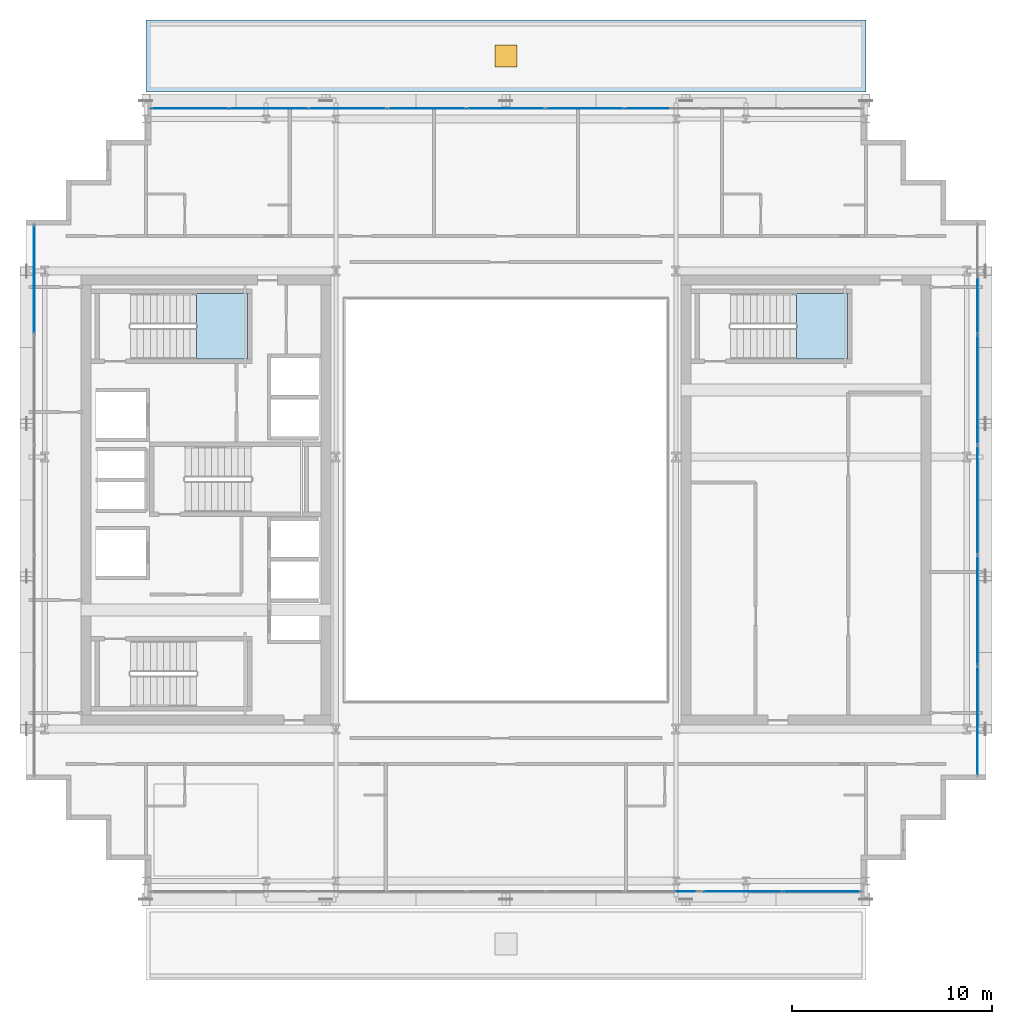
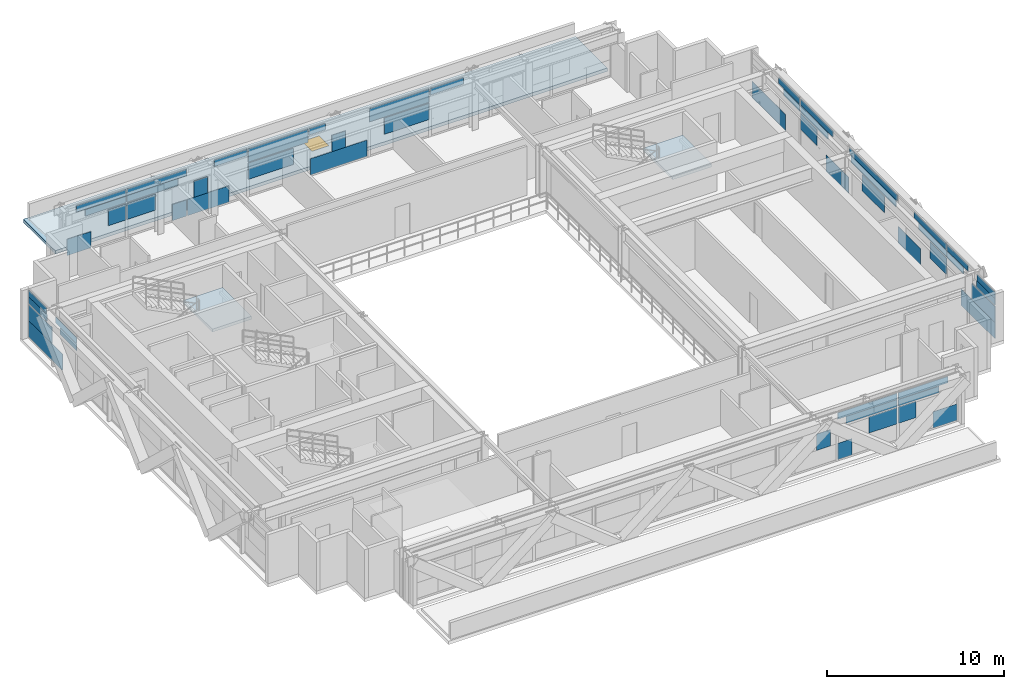
# One storey, part 23 of 34: 54 plates, 3 slabs, 1 door, 1 opening, 6 elements without a shape of their own.
"""IFC4 building model written with IfcOpenShell, lengths in metres."""

from ifc_helpers import new_model, si_unit, direction, frame, origin, origin_2d, place, context, subcontext, project, spatial, polyline, rectangle, outline, extrude, source, transform, mapped, material, layer, layer_set, type_object, element, fill, aggregate, save


model = new_model("IFC4")

# Units and contexts
model_context = context("Model", 3, precision=1e-05, world=origin(), true_north=direction((0.0, 1.0)))
body_context = subcontext(model_context, "Body", "Model", "MODEL_VIEW")
ifc_project = project(units=[si_unit("LENGTHUNIT", "METRE"), si_unit("AREAUNIT", "SQUARE_METRE"), si_unit("VOLUMEUNIT", "CUBIC_METRE"), si_unit("PLANEANGLEUNIT", "RADIAN"), si_unit("MASSUNIT", "GRAM", prefix="KILO")], contexts=[model_context])

# Site, building, storey
site_placement = place(None, origin())
site = spatial("IfcSite", under=ifc_project, at=site_placement, CompositionType="ELEMENT")
building_placement = place(site_placement, origin())
building = spatial("IfcBuilding", under=site, at=building_placement, Name="Ocotamira Hotel", CompositionType="ELEMENT")
storey_placement = place(building_placement, frame((0.0, 0.0, 163.199951171875)))
storey = spatial("IfcBuildingStorey", under=building, at=storey_placement, Name="L40", CompositionType="ELEMENT", Elevation=163.199951171875)

# Stair, slab
ifc_material_1 = material(Name="Concrete C40/50", Category="concrete")
stair_type = type_object("IfcStairType", Name="ST-CORE-1560", PredefinedType="HALF_TURN_STAIR", material=ifc_material_1)
stair_1_placement = place(storey_placement, origin())
stair_1 = element("IfcStair", 1, at=stair_1_placement, inside=storey, type_object=stair_type, Name="L40 Exit Stair ST-2", PredefinedType="HALF_TURN_STAIR")
ifc_layer_1 = layer(ifc_material_1, 0.199951171875)
ifc_layer_set_1 = layer_set([ifc_layer_1], Name="Concrete C40/50")
slab_type_1 = type_object("IfcSlabType", Name="SLB-LAND-200", PredefinedType="LANDING", material=ifc_layer_set_1)
slab_1_placement = place(storey_placement, frame((0.0, 0.0, 1.60009765625)))
slab_1 = element("IfcSlab", 2, at=slab_1_placement, type_object=slab_type_1, Name="ST-2 landing 1", PredefinedType="LANDING", context=body_context, shape_type="SweptSolid", body=[
    extrude(outline(polyline([(16.530029296875, 33.050048828125), (19.090087890625, 33.050048828125), (19.090087890625, 36.330078125), (16.530029296875, 36.330078125), (16.530029296875, 33.050048828125)])), origin(), (0.0, 0.0, 1.0), 0.199951171875),
])
aggregate(stair_1, [slab_1])

stair_2_placement = place(storey_placement, origin())
stair_2 = element("IfcStair", 3, at=stair_2_placement, inside=storey, type_object=stair_type, Name="L40 Exit Stair ST-4", PredefinedType="HALF_TURN_STAIR")
slab_2_placement = place(storey_placement, frame((0.0, 0.0, 1.60009765625)))
slab_2 = element("IfcSlab", 4, at=slab_2_placement, type_object=slab_type_1, Name="ST-4 landing 1", PredefinedType="LANDING", context=body_context, shape_type="SweptSolid", body=[
    extrude(outline(polyline([(46.530029296875, 33.050048828125), (49.090087890625, 33.050048828125), (49.090087890625, 36.330078125), (46.530029296875, 36.330078125), (46.530029296875, 33.050048828125)])), origin(), (0.0, 0.0, 1.0), 0.199951171875),
])
aggregate(stair_2, [slab_2])

# Slab, opening, door
ifc_layer_2 = layer(ifc_material_1, 0.22998046875)
ifc_layer_set_2 = layer_set([ifc_layer_2], Name="Concrete C40/50")
slab_type_2 = type_object("IfcSlabType", Name="SLB-ROOF-230", PredefinedType="ROOF", material=ifc_layer_set_2)
slab_3_placement = place(storey_placement, frame((0.0, 0.0, -0.22998046875)))
slab_3 = element("IfcSlab", 5, at=slab_3_placement, inside=storey, type_object=slab_type_2, Name="L40 Setback Roof Z3-N", PredefinedType="ROOF", context=body_context, shape_type="SweptSolid", body=[
    extrude(outline(polyline([(14.0, 46.39990234375), (50.0, 46.39990234375), (50.0, 50.0), (14.0, 50.0), (14.0, 46.39990234375)])), origin(), (0.0, 0.0, 1.0), 0.22998046875),
])
opening_placement = place(slab_3_placement, frame((32.0, 48.199951171875, 0.0)))
opening = element("IfcOpeningElement", 6, at=opening_placement, cuts=slab_3, Name="Opening RH-1", PredefinedType="OPENING", context=body_context, shape_type="SweptSolid", body=[
    extrude(rectangle(XDim=1.10009765625, YDim=1.10009765625, at=origin_2d()), frame((0.0, 0.0, -0.010009765625)), (0.0, 0.0, 1.0), 0.25),
])
ifc_material_2 = material(Name="Insulated aluminium roof access hatch", Category="aluminium")
door_type = type_object("IfcDoorType", Name="DR-HATCH-1100", OperationType="NOTDEFINED", PredefinedType="TRAPDOOR", material=ifc_material_2)
door_placement = place(opening_placement, frame((0.0, 0.0, 0.179931640625)))
door = element("IfcDoor", 7, at=door_placement, inside=storey, type_object=door_type, Name="L40 Maintenance Roof Hatch Z3N [RH-L40-Z3N]", OperationType="SINGLE_SWING_LEFT", OverallHeight=1.10009765625, OverallWidth=1.10009765625, PredefinedType="TRAPDOOR", context=body_context, shape_type="SweptSolid", body=[
    extrude(rectangle(XDim=1.10009765625, YDim=1.10009765625, at=origin_2d()), origin(), (0.0, 0.0, 1.0), 0.050048828125),
])
fill(opening, door)

# Curtain wall, plate
ifc_material_3 = material(Name="Anodised pale-metal aluminium and solar glass", Category="aluminium")
ifc_layer_3 = layer(ifc_material_3, 0.199951171875)
ifc_layer_set_3 = layer_set([ifc_layer_3], Name="Anodised pale-metal aluminium and solar glass")
curtain_wall_type = type_object("IfcCurtainWallType", Name="CW-SYS4-Z3", PredefinedType="NOTDEFINED", material=ifc_layer_set_3)
curtain_wall_1_placement = place(storey_placement, origin())
curtain_wall_1 = element("IfcCurtainWall", 8, at=curtain_wall_1_placement, inside=storey, type_object=curtain_wall_type, Name="L40 Curtain Wall CW-4 CW-L40-S1", PredefinedType="NOTDEFINED")
ifc_material_4 = material(Name="Double-silver low-E insulated solar glass", Category="glass")
ifc_layer_4 = layer(ifc_material_4, 0.031982421875)
ifc_layer_set_4 = layer_set([ifc_layer_4], Name="Double-silver low-E insulated solar glass")
plate_type = type_object("IfcPlateType", Name="CWP-VISION-32", PredefinedType="CURTAIN_PANEL", material=ifc_layer_set_4)
shared_shape_1 = source(origin(), body_context, "Body", "SweptSolid", [
    extrude(rectangle(XDim=1.5673828125, YDim=0.031982421875, at=origin_2d()), origin(), (0.0, 0.0, 1.0), 1.118896484375),
])
plate_1_placement = place(storey_placement, frame((48.936279296875, 6.419921875, 0.0751953125), z_axis=(0.0, 0.0, 1.0), x_axis=(1.0, 0.0, 0.0)))
plate_1 = element("IfcPlate", 9, at=plate_1_placement, type_object=plate_type, Name="CW-4 panel 9.1.2", PredefinedType="CURTAIN_PANEL", context=body_context, shape_type="MappedRepresentation", body=[
    mapped(shared_shape_1, transform((0.0, 0.0, 0.0), scale=1.0)),
])

curtain_wall_2_placement = place(storey_placement, origin())
curtain_wall_2 = element("IfcCurtainWall", 10, at=curtain_wall_2_placement, inside=storey, type_object=curtain_wall_type, Name="L40 Curtain Wall CW-4 CW-L40-N", PredefinedType="NOTDEFINED")
plate_2_placement = place(storey_placement, frame((15.063720703125, 45.580078125, 0.0751953125), z_axis=(0.0, 0.0, 1.0), x_axis=(1.0, 0.0, 0.0)))
plate_2 = element("IfcPlate", 11, at=plate_2_placement, type_object=plate_type, Name="CW-4 panel 1.1.1", PredefinedType="CURTAIN_PANEL", context=body_context, shape_type="MappedRepresentation", body=[
    mapped(shared_shape_1, transform((0.0, 0.0, 0.0), scale=1.0)),
])

# Plate
shared_shape_2 = source(origin(), body_context, "Body", "SweptSolid", [
    extrude(rectangle(XDim=1.1474609375, YDim=0.031982421875, at=origin_2d()), origin(), (0.0, 0.0, 1.0), 1.11865234375),
])
plate_3_placement = place(storey_placement, frame((46.458251953125, 6.419921875, 1.19384765625), z_axis=(0.0, 0.0, 1.0), x_axis=(1.0, 0.0, 0.0)))
plate_3 = element("IfcPlate", 12, at=plate_3_placement, type_object=plate_type, Name="CW-4 panel 9.1.1", PredefinedType="CURTAIN_PANEL", context=body_context, shape_type="MappedRepresentation", body=[
    mapped(shared_shape_2, transform((0.0, 0.0, 0.0), scale=1.0)),
])

plate_4_placement = place(storey_placement, frame((17.541748046875, 45.580078125, 1.19384765625), z_axis=(0.0, 0.0, 1.0), x_axis=(1.0, 0.0, 0.0)))
plate_4 = element("IfcPlate", 13, at=plate_4_placement, type_object=plate_type, Name="CW-4 panel 1.1.2", PredefinedType="CURTAIN_PANEL", context=body_context, shape_type="MappedRepresentation", body=[
    mapped(shared_shape_2, transform((0.0, 0.0, 0.0), scale=1.0)),
])

shared_shape_3 = source(origin(), body_context, "Body", "SweptSolid", [
    extrude(rectangle(XDim=3.233154296875, YDim=0.031982421875, at=origin_2d()), origin(), (0.0, 0.0, 1.0), 0.4326171875),
])
plate_5_placement = place(storey_placement, frame((47.5009765625, 6.419921875, 2.862548828125), z_axis=(0.0, 0.0, 1.0), x_axis=(1.0, 0.0, 0.0)))
plate_5 = element("IfcPlate", 14, at=plate_5_placement, type_object=plate_type, Name="CW-4 panel 9.2.2", PredefinedType="CURTAIN_PANEL", context=body_context, shape_type="MappedRepresentation", body=[
    mapped(shared_shape_3, transform((0.0, 0.0, 0.0), scale=1.0)),
])

plate_6_placement = place(storey_placement, frame((16.4990234375, 45.580078125, 2.862548828125), z_axis=(0.0, 0.0, 1.0), x_axis=(1.0, 0.0, 0.0)))
plate_6 = element("IfcPlate", 15, at=plate_6_placement, type_object=plate_type, Name="CW-4 panel 1.2.1", PredefinedType="CURTAIN_PANEL", context=body_context, shape_type="MappedRepresentation", body=[
    mapped(shared_shape_3, transform((0.0, 0.0, 0.0), scale=1.0)),
])

shared_shape_4 = source(origin(), body_context, "Body", "SweptSolid", [
    extrude(rectangle(XDim=2.6396484375, YDim=0.031982421875, at=origin_2d()), origin(), (0.0, 0.0, 1.0), 0.443603515625),
])
plate_7_placement = place(storey_placement, frame((47.204345703125, 6.419921875, 2.3876953125), z_axis=(0.0, 0.0, 1.0), x_axis=(1.0, 0.0, 0.0)))
plate_7 = element("IfcPlate", 16, at=plate_7_placement, type_object=plate_type, Name="CW-4 panel 9.2.1", PredefinedType="CURTAIN_PANEL", context=body_context, shape_type="MappedRepresentation", body=[
    mapped(shared_shape_4, transform((0.0, 0.0, 0.0), scale=1.0)),
])

plate_8_placement = place(storey_placement, frame((16.795654296875, 45.580078125, 2.3876953125), z_axis=(0.0, 0.0, 1.0), x_axis=(1.0, 0.0, 0.0)))
plate_8 = element("IfcPlate", 17, at=plate_8_placement, type_object=plate_type, Name="CW-4 panel 1.2.2", PredefinedType="CURTAIN_PANEL", context=body_context, shape_type="MappedRepresentation", body=[
    mapped(shared_shape_4, transform((0.0, 0.0, 0.0), scale=1.0)),
])

shared_shape_5 = source(origin(), body_context, "Body", "SweptSolid", [
    extrude(rectangle(XDim=1.83642578125, YDim=0.031982421875, at=origin_2d()), origin(), (0.0, 0.0, 1.0), 1.11865234375),
])
plate_9_placement = place(storey_placement, frame((44.88623046875, 6.419921875, 1.19384765625), z_axis=(0.0, 0.0, 1.0), x_axis=(1.0, 0.0, 0.0)))
plate_9 = element("IfcPlate", 18, at=plate_9_placement, type_object=plate_type, Name="CW-4 panel 8.1.2", PredefinedType="CURTAIN_PANEL", context=body_context, shape_type="MappedRepresentation", body=[
    mapped(shared_shape_5, transform((0.0, 0.0, 0.0), scale=1.0)),
])

plate_10_placement = place(storey_placement, frame((19.11376953125, 45.580078125, 1.19384765625), z_axis=(0.0, 0.0, 1.0), x_axis=(1.0, 0.0, 0.0)))
plate_10 = element("IfcPlate", 19, at=plate_10_placement, type_object=plate_type, Name="CW-4 panel 2.1.1", PredefinedType="CURTAIN_PANEL", context=body_context, shape_type="MappedRepresentation", body=[
    mapped(shared_shape_5, transform((0.0, 0.0, 0.0), scale=1.0)),
])

shared_shape_6 = source(origin(), body_context, "Body", "SweptSolid", [
    extrude(rectangle(XDim=0.918701171875, YDim=0.031982421875, at=origin_2d()), origin(), (0.0, 0.0, 1.0), 1.118896484375),
])
plate_11_placement = place(storey_placement, frame((42.38818359375, 6.419921875, 0.0751953125), z_axis=(0.0, 0.0, 1.0), x_axis=(1.0, 0.0, 0.0)))
plate_11 = element("IfcPlate", 20, at=plate_11_placement, type_object=plate_type, Name="CW-4 panel 8.1.1", PredefinedType="CURTAIN_PANEL", context=body_context, shape_type="MappedRepresentation", body=[
    mapped(shared_shape_6, transform((0.0, 0.0, 0.0), scale=1.0)),
])

plate_12_placement = place(storey_placement, frame((21.61181640625, 45.580078125, 0.0751953125), z_axis=(0.0, 0.0, 1.0), x_axis=(1.0, 0.0, 0.0)))
plate_12 = element("IfcPlate", 21, at=plate_12_placement, type_object=plate_type, Name="CW-4 panel 2.1.2", PredefinedType="CURTAIN_PANEL", context=body_context, shape_type="MappedRepresentation", body=[
    mapped(shared_shape_6, transform((0.0, 0.0, 0.0), scale=1.0)),
])

shared_shape_7 = source(origin(), body_context, "Body", "SweptSolid", [
    extrude(rectangle(XDim=3.32861328125, YDim=0.031982421875, at=origin_2d()), origin(), (0.0, 0.0, 1.0), 0.474853515625),
])
plate_13_placement = place(storey_placement, frame((44.14013671875, 6.419921875, 2.3876953125), z_axis=(0.0, 0.0, 1.0), x_axis=(1.0, 0.0, 0.0)))
plate_13 = element("IfcPlate", 22, at=plate_13_placement, type_object=plate_type, Name="CW-4 panel 8.2.2", PredefinedType="CURTAIN_PANEL", context=body_context, shape_type="MappedRepresentation", body=[
    mapped(shared_shape_7, transform((0.0, 0.0, 0.0), scale=1.0)),
])

plate_14_placement = place(storey_placement, frame((19.85986328125, 45.580078125, 2.3876953125), z_axis=(0.0, 0.0, 1.0), x_axis=(1.0, 0.0, 0.0)))
plate_14 = element("IfcPlate", 23, at=plate_14_placement, type_object=plate_type, Name="CW-4 panel 2.2.1", PredefinedType="CURTAIN_PANEL", context=body_context, shape_type="MappedRepresentation", body=[
    mapped(shared_shape_7, transform((0.0, 0.0, 0.0), scale=1.0)),
])

shared_shape_8 = source(origin(), body_context, "Body", "SweptSolid", [
    extrude(rectangle(XDim=3.87548828125, YDim=0.031982421875, at=origin_2d()), origin(), (0.0, 0.0, 1.0), 0.4326171875),
])
plate_15_placement = place(storey_placement, frame((43.86669921875, 6.419921875, 2.862548828125), z_axis=(0.0, 0.0, 1.0), x_axis=(1.0, 0.0, 0.0)))
plate_15 = element("IfcPlate", 24, at=plate_15_placement, type_object=plate_type, Name="CW-4 panel 8.2.1", PredefinedType="CURTAIN_PANEL", context=body_context, shape_type="MappedRepresentation", body=[
    mapped(shared_shape_8, transform((0.0, 0.0, 0.0), scale=1.0)),
])

plate_16_placement = place(storey_placement, frame((20.13330078125, 45.580078125, 2.862548828125), z_axis=(0.0, 0.0, 1.0), x_axis=(1.0, 0.0, 0.0)))
plate_16 = element("IfcPlate", 25, at=plate_16_placement, type_object=plate_type, Name="CW-4 panel 2.2.2", PredefinedType="CURTAIN_PANEL", context=body_context, shape_type="MappedRepresentation", body=[
    mapped(shared_shape_8, transform((0.0, 0.0, 0.0), scale=1.0)),
])

shared_shape_9 = source(origin(), body_context, "Body", "SweptSolid", [
    extrude(rectangle(XDim=2.6962890625, YDim=0.031982421875, at=origin_2d()), origin(), (0.0, 0.0, 1.0), 1.118896484375),
])
plate_17_placement = place(storey_placement, frame((23.499267578125, 45.580078125, 0.0751953125), z_axis=(0.0, 0.0, 1.0), x_axis=(1.0, 0.0, 0.0)))
plate_17 = element("IfcPlate", 26, at=plate_17_placement, type_object=plate_type, Name="CW-4 panel 3.1.1", PredefinedType="CURTAIN_PANEL", context=body_context, shape_type="MappedRepresentation", body=[
    mapped(shared_shape_9, transform((0.0, 0.0, 0.0), scale=1.0)),
])

shared_shape_10 = source(origin(), body_context, "Body", "SweptSolid", [
    extrude(rectangle(XDim=0.898193359375, YDim=0.031982421875, at=origin_2d()), origin(), (0.0, 0.0, 1.0), 1.11865234375),
])
plate_18_placement = place(storey_placement, frame((41.0, 6.419921875, 1.19384765625), z_axis=(0.0, 0.0, 1.0), x_axis=(1.0, 0.0, 0.0)))
plate_18 = element("IfcPlate", 27, at=plate_18_placement, type_object=plate_type, Name="CW-4 panel 7.1.2", PredefinedType="CURTAIN_PANEL", context=body_context, shape_type="MappedRepresentation", body=[
    mapped(shared_shape_10, transform((0.0, 0.0, 0.0), scale=1.0)),
])

aggregate(curtain_wall_1, [plate_18, plate_11, plate_9, plate_15, plate_13, plate_3, plate_1, plate_7, plate_5])

plate_19_placement = place(storey_placement, frame((23.0, 45.580078125, 1.19384765625), z_axis=(0.0, 0.0, 1.0), x_axis=(1.0, 0.0, 0.0)))
plate_19 = element("IfcPlate", 28, at=plate_19_placement, type_object=plate_type, Name="CW-4 panel 3.1.2", PredefinedType="CURTAIN_PANEL", context=body_context, shape_type="MappedRepresentation", body=[
    mapped(shared_shape_10, transform((0.0, 0.0, 0.0), scale=1.0)),
])

plate_20_placement = place(storey_placement, frame((32.0, 45.580078125, 1.19384765625), z_axis=(0.0, 0.0, 1.0), x_axis=(1.0, 0.0, 0.0)))
plate_20 = element("IfcPlate", 29, at=plate_20_placement, type_object=plate_type, Name="CW-4 panel 5.1.2", PredefinedType="CURTAIN_PANEL", context=body_context, shape_type="MappedRepresentation", body=[
    mapped(shared_shape_10, transform((0.0, 0.0, 0.0), scale=1.0)),
])

shared_shape_11 = source(origin(), body_context, "Body", "SweptSolid", [
    extrude(rectangle(XDim=2.144287109375, YDim=0.031982421875, at=origin_2d()), origin(), (0.0, 0.0, 1.0), 0.4326171875),
])
plate_21_placement = place(storey_placement, frame((24.95458984375, 45.580078125, 2.862548828125), z_axis=(0.0, 0.0, 1.0), x_axis=(1.0, 0.0, 0.0)))
plate_21 = element("IfcPlate", 30, at=plate_21_placement, type_object=plate_type, Name="CW-4 panel 3.2.1", PredefinedType="CURTAIN_PANEL", context=body_context, shape_type="MappedRepresentation", body=[
    mapped(shared_shape_11, transform((0.0, 0.0, 0.0), scale=1.0)),
])

plate_22_placement = place(storey_placement, frame((39.04541015625, 45.580078125, 2.862548828125), z_axis=(0.0, 0.0, 1.0), x_axis=(1.0, 0.0, 0.0)))
plate_22 = element("IfcPlate", 31, at=plate_22_placement, type_object=plate_type, Name="CW-4 panel 7.2.1", PredefinedType="CURTAIN_PANEL", context=body_context, shape_type="MappedRepresentation", body=[
    mapped(shared_shape_11, transform((0.0, 0.0, 0.0), scale=1.0)),
])

shared_shape_12 = source(origin(), body_context, "Body", "SweptSolid", [
    extrude(rectangle(XDim=2.92529296875, YDim=0.031982421875, at=origin_2d()), origin(), (0.0, 0.0, 1.0), 1.11865234375),
])
plate_23_placement = place(storey_placement, frame((27.5693359375, 45.580078125, 1.19384765625), z_axis=(0.0, 0.0, 1.0), x_axis=(1.0, 0.0, 0.0)))
plate_23 = element("IfcPlate", 32, at=plate_23_placement, type_object=plate_type, Name="CW-4 panel 4.1.1", PredefinedType="CURTAIN_PANEL", context=body_context, shape_type="MappedRepresentation", body=[
    mapped(shared_shape_12, transform((0.0, 0.0, 0.0), scale=1.0)),
])

plate_24_placement = place(storey_placement, frame((36.4306640625, 45.580078125, 1.19384765625), z_axis=(0.0, 0.0, 1.0), x_axis=(1.0, 0.0, 0.0)))
plate_24 = element("IfcPlate", 33, at=plate_24_placement, type_object=plate_type, Name="CW-4 panel 6.1.1", PredefinedType="CURTAIN_PANEL", context=body_context, shape_type="MappedRepresentation", body=[
    mapped(shared_shape_12, transform((0.0, 0.0, 0.0), scale=1.0)),
])

shared_shape_13 = source(origin(), body_context, "Body", "SweptSolid", [
    extrude(rectangle(XDim=3.87548828125, YDim=0.031982421875, at=origin_2d()), origin(), (0.0, 0.0, 1.0), 0.907470703125),
])
plate_25_placement = place(storey_placement, frame((28.04443359375, 45.580078125, 2.3876953125), z_axis=(0.0, 0.0, 1.0), x_axis=(1.0, 0.0, 0.0)))
plate_25 = element("IfcPlate", 34, at=plate_25_placement, type_object=plate_type, Name="CW-4 panel 4.2", PredefinedType="CURTAIN_PANEL", context=body_context, shape_type="MappedRepresentation", body=[
    mapped(shared_shape_13, transform((0.0, 0.0, 0.0), scale=1.0)),
])

plate_26_placement = place(storey_placement, frame((35.95556640625, 45.580078125, 2.3876953125), z_axis=(0.0, 0.0, 1.0), x_axis=(1.0, 0.0, 0.0)))
plate_26 = element("IfcPlate", 35, at=plate_26_placement, type_object=plate_type, Name="CW-4 panel 6.2", PredefinedType="CURTAIN_PANEL", context=body_context, shape_type="MappedRepresentation", body=[
    mapped(shared_shape_13, transform((0.0, 0.0, 0.0), scale=1.0)),
])

shared_shape_14 = source(origin(), body_context, "Body", "SweptSolid", [
    extrude(rectangle(XDim=3.695068359375, YDim=0.031982421875, at=origin_2d()), origin(), (0.0, 0.0, 1.0), 1.118896484375),
])
plate_27_placement = place(storey_placement, frame((32.0, 45.580078125, 0.0751953125), z_axis=(0.0, 0.0, 1.0), x_axis=(1.0, 0.0, 0.0)))
plate_27 = element("IfcPlate", 36, at=plate_27_placement, type_object=plate_type, Name="CW-4 panel 5.1.1", PredefinedType="CURTAIN_PANEL", context=body_context, shape_type="MappedRepresentation", body=[
    mapped(shared_shape_14, transform((0.0, 0.0, 0.0), scale=1.0)),
])

shared_shape_15 = source(origin(), body_context, "Body", "SweptSolid", [
    extrude(rectangle(XDim=1.055419921875, YDim=0.031982421875, at=origin_2d()), origin(), (0.0, 0.0, 1.0), 0.4326171875),
])
plate_28_placement = place(storey_placement, frame((30.58984375, 45.580078125, 2.862548828125), z_axis=(0.0, 0.0, 1.0), x_axis=(1.0, 0.0, 0.0)))
plate_28 = element("IfcPlate", 37, at=plate_28_placement, type_object=plate_type, Name="CW-4 panel 5.2.1", PredefinedType="CURTAIN_PANEL", context=body_context, shape_type="MappedRepresentation", body=[
    mapped(shared_shape_15, transform((0.0, 0.0, 0.0), scale=1.0)),
])

aggregate(curtain_wall_2, [plate_2, plate_4, plate_6, plate_8, plate_10, plate_12, plate_14, plate_16, plate_17, plate_19, plate_21, plate_23, plate_25, plate_27, plate_20, plate_28, plate_24, plate_26, plate_22])

# Curtain wall, plate
curtain_wall_3_placement = place(storey_placement, origin())
curtain_wall_3 = element("IfcCurtainWall", 38, at=curtain_wall_3_placement, inside=storey, type_object=curtain_wall_type, Name="L40 Curtain Wall CW-4 CW-L40-W", PredefinedType="NOTDEFINED")
shared_shape_16 = source(origin(), body_context, "Body", "SweptSolid", [
    extrude(rectangle(XDim=3.802001953125, YDim=0.031982421875, at=origin_2d()), origin(), (0.0, 0.0, 1.0), 1.118896484375),
])
plate_29_placement = place(storey_placement, frame((8.419921875, 37.819091796875, 0.0751953125), z_axis=(0.0, 0.0, 1.0), x_axis=(0.0, 1.0, 0.0)))
plate_29 = element("IfcPlate", 39, at=plate_29_placement, type_object=plate_type, Name="CW-4 panel 5.1.1", PredefinedType="CURTAIN_PANEL", context=body_context, shape_type="MappedRepresentation", body=[
    mapped(shared_shape_16, transform((0.0, 0.0, 0.0), scale=1.0)),
])

# Curtain wall, plates
curtain_wall_4_placement = place(storey_placement, origin())
curtain_wall_4 = element("IfcCurtainWall", 40, at=curtain_wall_4_placement, inside=storey, type_object=curtain_wall_type, Name="L40 Curtain Wall CW-4 CW-L40-E", PredefinedType="NOTDEFINED")
plate_30_placement = place(storey_placement, frame((55.580078125, 14.180908203125, 0.0751953125), z_axis=(0.0, 0.0, 1.0), x_axis=(0.0, 1.0, 0.0)))
plate_30 = element("IfcPlate", 41, at=plate_30_placement, type_object=plate_type, Name="CW-4 panel 1.1.1", PredefinedType="CURTAIN_PANEL", context=body_context, shape_type="MappedRepresentation", body=[
    mapped(shared_shape_16, transform((0.0, 0.0, 0.0), scale=1.0)),
])
plate_31_placement = place(storey_placement, frame((55.580078125, 37.819091796875, 0.0751953125), z_axis=(0.0, 0.0, 1.0), x_axis=(0.0, 1.0, 0.0)))
plate_31 = element("IfcPlate", 42, at=plate_31_placement, type_object=plate_type, Name="CW-4 panel 5.1.1", PredefinedType="CURTAIN_PANEL", context=body_context, shape_type="MappedRepresentation", body=[
    mapped(shared_shape_16, transform((0.0, 0.0, 0.0), scale=1.0)),
])

# Plate
shared_shape_17 = source(origin(), body_context, "Body", "SweptSolid", [
    extrude(rectangle(XDim=2.615966796875, YDim=0.031982421875, at=origin_2d()), origin(), (0.0, 0.0, 1.0), 1.11865234375),
])
plate_32_placement = place(storey_placement, frame((8.419921875, 38.412109375, 1.19384765625), z_axis=(0.0, 0.0, 1.0), x_axis=(0.0, 1.0, 0.0)))
plate_32 = element("IfcPlate", 43, at=plate_32_placement, type_object=plate_type, Name="CW-4 panel 5.1.2", PredefinedType="CURTAIN_PANEL", context=body_context, shape_type="MappedRepresentation", body=[
    mapped(shared_shape_17, transform((0.0, 0.0, 0.0), scale=1.0)),
])

plate_33_placement = place(storey_placement, frame((55.580078125, 13.587890625, 1.19384765625), z_axis=(0.0, 0.0, 1.0), x_axis=(0.0, 1.0, 0.0)))
plate_33 = element("IfcPlate", 44, at=plate_33_placement, type_object=plate_type, Name="CW-4 panel 1.1.2", PredefinedType="CURTAIN_PANEL", context=body_context, shape_type="MappedRepresentation", body=[
    mapped(shared_shape_17, transform((0.0, 0.0, 0.0), scale=1.0)),
])

shared_shape_18 = source(origin(), body_context, "Body", "SweptSolid", [
    extrude(rectangle(XDim=2.048095703125, YDim=0.031982421875, at=origin_2d()), origin(), (0.0, 0.0, 1.0), 0.460693359375),
])
plate_34_placement = place(storey_placement, frame((8.419921875, 38.696044921875, 2.3876953125), z_axis=(0.0, 0.0, 1.0), x_axis=(0.0, 1.0, 0.0)))
plate_34 = element("IfcPlate", 45, at=plate_34_placement, type_object=plate_type, Name="CW-4 panel 5.2.3", PredefinedType="CURTAIN_PANEL", context=body_context, shape_type="MappedRepresentation", body=[
    mapped(shared_shape_18, transform((0.0, 0.0, 0.0), scale=1.0)),
])

plate_35_placement = place(storey_placement, frame((55.580078125, 13.303955078125, 2.3876953125), z_axis=(0.0, 0.0, 1.0), x_axis=(0.0, 1.0, 0.0)))
plate_35 = element("IfcPlate", 46, at=plate_35_placement, type_object=plate_type, Name="CW-4 panel 1.2.1", PredefinedType="CURTAIN_PANEL", context=body_context, shape_type="MappedRepresentation", body=[
    mapped(shared_shape_18, transform((0.0, 0.0, 0.0), scale=1.0)),
])

shared_shape_19 = source(origin(), body_context, "Body", "SweptSolid", [
    extrude(rectangle(XDim=2.01171875, YDim=0.031982421875, at=origin_2d()), origin(), (0.0, 0.0, 1.0), 0.44677734375),
])
plate_36_placement = place(storey_placement, frame((8.419921875, 38.714111328125, 2.84814453125), z_axis=(0.0, 0.0, 1.0), x_axis=(0.0, 1.0, 0.0)))
plate_36 = element("IfcPlate", 47, at=plate_36_placement, type_object=plate_type, Name="CW-4 panel 5.2.4", PredefinedType="CURTAIN_PANEL", context=body_context, shape_type="MappedRepresentation", body=[
    mapped(shared_shape_19, transform((0.0, 0.0, 0.0), scale=1.0)),
])

plate_37_placement = place(storey_placement, frame((55.580078125, 13.285888671875, 2.84814453125), z_axis=(0.0, 0.0, 1.0), x_axis=(0.0, 1.0, 0.0)))
plate_37 = element("IfcPlate", 48, at=plate_37_placement, type_object=plate_type, Name="CW-4 panel 1.2.2", PredefinedType="CURTAIN_PANEL", context=body_context, shape_type="MappedRepresentation", body=[
    mapped(shared_shape_19, transform((0.0, 0.0, 0.0), scale=1.0)),
])

shared_shape_20 = source(origin(), body_context, "Body", "SweptSolid", [
    extrude(rectangle(XDim=2.3681640625, YDim=0.031982421875, at=origin_2d()), origin(), (0.0, 0.0, 1.0), 0.41259765625),
])
plate_38_placement = place(storey_placement, frame((8.419921875, 35.504150390625, 2.882568359375), z_axis=(0.0, 0.0, 1.0), x_axis=(0.0, 1.0, 0.0)))
plate_38 = element("IfcPlate", 49, at=plate_38_placement, type_object=plate_type, Name="CW-4 panel 5.2.2", PredefinedType="CURTAIN_PANEL", context=body_context, shape_type="MappedRepresentation", body=[
    mapped(shared_shape_20, transform((0.0, 0.0, 0.0), scale=1.0)),
])

plate_39_placement = place(storey_placement, frame((55.580078125, 16.495849609375, 2.882568359375), z_axis=(0.0, 0.0, 1.0), x_axis=(0.0, 1.0, 0.0)))
plate_39 = element("IfcPlate", 50, at=plate_39_placement, type_object=plate_type, Name="CW-4 panel 1.2.3", PredefinedType="CURTAIN_PANEL", context=body_context, shape_type="MappedRepresentation", body=[
    mapped(shared_shape_20, transform((0.0, 0.0, 0.0), scale=1.0)),
])

plate_40_placement = place(storey_placement, frame((55.580078125, 35.504150390625, 2.882568359375), z_axis=(0.0, 0.0, 1.0), x_axis=(0.0, 1.0, 0.0)))
plate_40 = element("IfcPlate", 51, at=plate_40_placement, type_object=plate_type, Name="CW-4 panel 5.2.2", PredefinedType="CURTAIN_PANEL", context=body_context, shape_type="MappedRepresentation", body=[
    mapped(shared_shape_20, transform((0.0, 0.0, 0.0), scale=1.0)),
])

shared_shape_21 = source(origin(), body_context, "Body", "SweptSolid", [
    extrude(rectangle(XDim=1.84326171875, YDim=0.031982421875, at=origin_2d()), origin(), (0.0, 0.0, 1.0), 0.460693359375),
])
plate_41_placement = place(storey_placement, frame((8.419921875, 35.24169921875, 2.3876953125), z_axis=(0.0, 0.0, 1.0), x_axis=(0.0, 1.0, 0.0)))
plate_41 = element("IfcPlate", 52, at=plate_41_placement, type_object=plate_type, Name="CW-4 panel 5.2.1", PredefinedType="CURTAIN_PANEL", context=body_context, shape_type="MappedRepresentation", body=[
    mapped(shared_shape_21, transform((0.0, 0.0, 0.0), scale=1.0)),
])

aggregate(curtain_wall_3, [plate_29, plate_32, plate_41, plate_38, plate_34, plate_36])

plate_42_placement = place(storey_placement, frame((55.580078125, 16.75830078125, 2.3876953125), z_axis=(0.0, 0.0, 1.0), x_axis=(0.0, 1.0, 0.0)))
plate_42 = element("IfcPlate", 53, at=plate_42_placement, type_object=plate_type, Name="CW-4 panel 1.2.4", PredefinedType="CURTAIN_PANEL", context=body_context, shape_type="MappedRepresentation", body=[
    mapped(shared_shape_21, transform((0.0, 0.0, 0.0), scale=1.0)),
])

plate_43_placement = place(storey_placement, frame((55.580078125, 35.24169921875, 2.3876953125), z_axis=(0.0, 0.0, 1.0), x_axis=(0.0, 1.0, 0.0)))
plate_43 = element("IfcPlate", 54, at=plate_43_placement, type_object=plate_type, Name="CW-4 panel 5.2.1", PredefinedType="CURTAIN_PANEL", context=body_context, shape_type="MappedRepresentation", body=[
    mapped(shared_shape_21, transform((0.0, 0.0, 0.0), scale=1.0)),
])

shared_shape_22 = source(origin(), body_context, "Body", "SweptSolid", [
    extrude(rectangle(XDim=1.87109375, YDim=0.031982421875, at=origin_2d()), origin(), (0.0, 0.0, 1.0), 1.11865234375),
])
plate_44_placement = place(storey_placement, frame((55.580078125, 18.695556640625, 1.19384765625), z_axis=(0.0, 0.0, 1.0), x_axis=(0.0, 1.0, 0.0)))
plate_44 = element("IfcPlate", 55, at=plate_44_placement, type_object=plate_type, Name="CW-4 panel 2.1.1", PredefinedType="CURTAIN_PANEL", context=body_context, shape_type="MappedRepresentation", body=[
    mapped(shared_shape_22, transform((0.0, 0.0, 0.0), scale=1.0)),
])

plate_45_placement = place(storey_placement, frame((55.580078125, 33.304443359375, 1.19384765625), z_axis=(0.0, 0.0, 1.0), x_axis=(0.0, 1.0, 0.0)))
plate_45 = element("IfcPlate", 56, at=plate_45_placement, type_object=plate_type, Name="CW-4 panel 4.1.2", PredefinedType="CURTAIN_PANEL", context=body_context, shape_type="MappedRepresentation", body=[
    mapped(shared_shape_22, transform((0.0, 0.0, 0.0), scale=1.0)),
])

shared_shape_23 = source(origin(), body_context, "Body", "SweptSolid", [
    extrude(rectangle(XDim=2.548828125, YDim=0.031982421875, at=origin_2d()), origin(), (0.0, 0.0, 1.0), 1.118896484375),
])
plate_46_placement = place(storey_placement, frame((55.580078125, 21.925537109375, 0.0751953125), z_axis=(0.0, 0.0, 1.0), x_axis=(0.0, 1.0, 0.0)))
plate_46 = element("IfcPlate", 57, at=plate_46_placement, type_object=plate_type, Name="CW-4 panel 2.1.2", PredefinedType="CURTAIN_PANEL", context=body_context, shape_type="MappedRepresentation", body=[
    mapped(shared_shape_23, transform((0.0, 0.0, 0.0), scale=1.0)),
])

plate_47_placement = place(storey_placement, frame((55.580078125, 30.074462890625, 0.0751953125), z_axis=(0.0, 0.0, 1.0), x_axis=(0.0, 1.0, 0.0)))
plate_47 = element("IfcPlate", 58, at=plate_47_placement, type_object=plate_type, Name="CW-4 panel 4.1.1", PredefinedType="CURTAIN_PANEL", context=body_context, shape_type="MappedRepresentation", body=[
    mapped(shared_shape_23, transform((0.0, 0.0, 0.0), scale=1.0)),
])

shared_shape_24 = source(origin(), body_context, "Body", "SweptSolid", [
    extrude(rectangle(XDim=3.13671875, YDim=0.031982421875, at=origin_2d()), origin(), (0.0, 0.0, 1.0), 0.460693359375),
])
plate_48_placement = place(storey_placement, frame((55.580078125, 19.328369140625, 2.3876953125), z_axis=(0.0, 0.0, 1.0), x_axis=(0.0, 1.0, 0.0)))
plate_48 = element("IfcPlate", 59, at=plate_48_placement, type_object=plate_type, Name="CW-4 panel 2.2.1", PredefinedType="CURTAIN_PANEL", context=body_context, shape_type="MappedRepresentation", body=[
    mapped(shared_shape_24, transform((0.0, 0.0, 0.0), scale=1.0)),
])

plate_49_placement = place(storey_placement, frame((55.580078125, 32.671630859375, 2.3876953125), z_axis=(0.0, 0.0, 1.0), x_axis=(0.0, 1.0, 0.0)))
plate_49 = element("IfcPlate", 60, at=plate_49_placement, type_object=plate_type, Name="CW-4 panel 4.2.2", PredefinedType="CURTAIN_PANEL", context=body_context, shape_type="MappedRepresentation", body=[
    mapped(shared_shape_24, transform((0.0, 0.0, 0.0), scale=1.0)),
])

shared_shape_25 = source(origin(), body_context, "Body", "SweptSolid", [
    extrude(rectangle(XDim=3.66162109375, YDim=0.031982421875, at=origin_2d()), origin(), (0.0, 0.0, 1.0), 0.41259765625),
])
plate_50_placement = place(storey_placement, frame((55.580078125, 19.5908203125, 2.882568359375), z_axis=(0.0, 0.0, 1.0), x_axis=(0.0, 1.0, 0.0)))
plate_50 = element("IfcPlate", 61, at=plate_50_placement, type_object=plate_type, Name="CW-4 panel 2.2.2", PredefinedType="CURTAIN_PANEL", context=body_context, shape_type="MappedRepresentation", body=[
    mapped(shared_shape_25, transform((0.0, 0.0, 0.0), scale=1.0)),
])

plate_51_placement = place(storey_placement, frame((55.580078125, 32.4091796875, 2.882568359375), z_axis=(0.0, 0.0, 1.0), x_axis=(0.0, 1.0, 0.0)))
plate_51 = element("IfcPlate", 62, at=plate_51_placement, type_object=plate_type, Name="CW-4 panel 4.2.1", PredefinedType="CURTAIN_PANEL", context=body_context, shape_type="MappedRepresentation", body=[
    mapped(shared_shape_25, transform((0.0, 0.0, 0.0), scale=1.0)),
])

shared_shape_26 = source(origin(), body_context, "Body", "SweptSolid", [
    extrude(rectangle(XDim=2.52880859375, YDim=0.031982421875, at=origin_2d()), origin(), (0.0, 0.0, 1.0), 1.11865234375),
])
plate_52_placement = place(storey_placement, frame((55.580078125, 26.0, 1.19384765625), z_axis=(0.0, 0.0, 1.0), x_axis=(0.0, 1.0, 0.0)))
plate_52 = element("IfcPlate", 63, at=plate_52_placement, type_object=plate_type, Name="CW-4 panel 3.1.1", PredefinedType="CURTAIN_PANEL", context=body_context, shape_type="MappedRepresentation", body=[
    mapped(shared_shape_26, transform((0.0, 0.0, 0.0), scale=1.0)),
])

shared_shape_27 = source(origin(), body_context, "Body", "SweptSolid", [
    extrude(rectangle(XDim=5.43994140625, YDim=0.031982421875, at=origin_2d()), origin(), (0.0, 0.0, 1.0), 0.41259765625),
])
plate_53_placement = place(storey_placement, frame((55.580078125, 26.0, 2.882568359375), z_axis=(0.0, 0.0, 1.0), x_axis=(0.0, 1.0, 0.0)))
plate_53 = element("IfcPlate", 64, at=plate_53_placement, type_object=plate_type, Name="CW-4 panel 3.2.1", PredefinedType="CURTAIN_PANEL", context=body_context, shape_type="MappedRepresentation", body=[
    mapped(shared_shape_27, transform((0.0, 0.0, 0.0), scale=1.0)),
])

shared_shape_28 = source(origin(), body_context, "Body", "SweptSolid", [
    extrude(rectangle(XDim=5.06005859375, YDim=0.031982421875, at=origin_2d()), origin(), (0.0, 0.0, 1.0), 0.4951171875),
])
plate_54_placement = place(storey_placement, frame((55.580078125, 26.0, 2.387451171875), z_axis=(0.0, 0.0, 1.0), x_axis=(0.0, 1.0, 0.0)))
plate_54 = element("IfcPlate", 65, at=plate_54_placement, type_object=plate_type, Name="CW-4 panel 3.2.2", PredefinedType="CURTAIN_PANEL", context=body_context, shape_type="MappedRepresentation", body=[
    mapped(shared_shape_28, transform((0.0, 0.0, 0.0), scale=1.0)),
])

aggregate(curtain_wall_4, [plate_30, plate_33, plate_35, plate_37, plate_39, plate_42, plate_44, plate_46, plate_48, plate_50, plate_52, plate_53, plate_54, plate_47, plate_45, plate_51, plate_49, plate_31, plate_43, plate_40])

save(model, "model.ifc")
